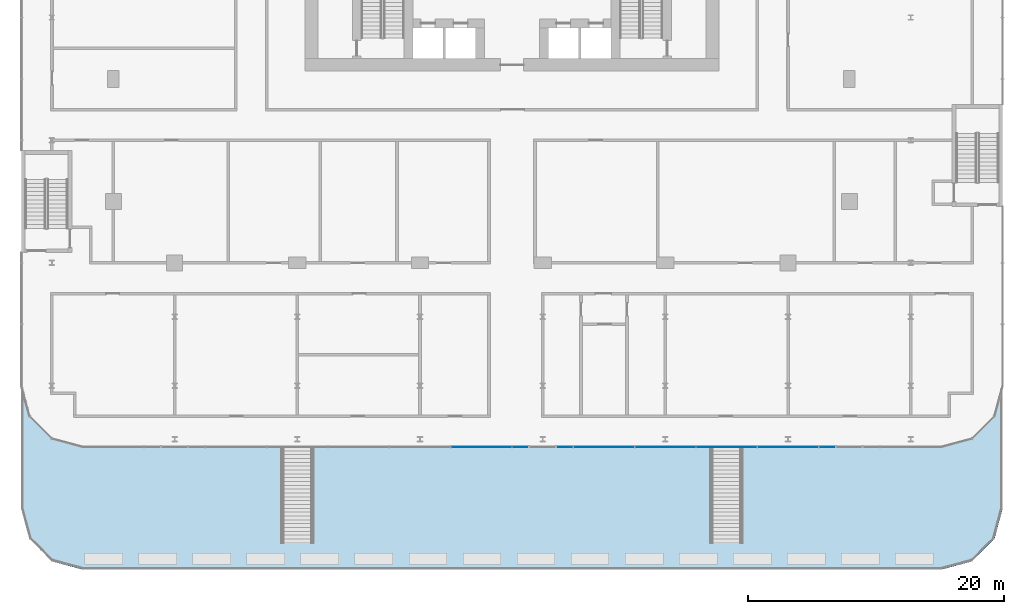
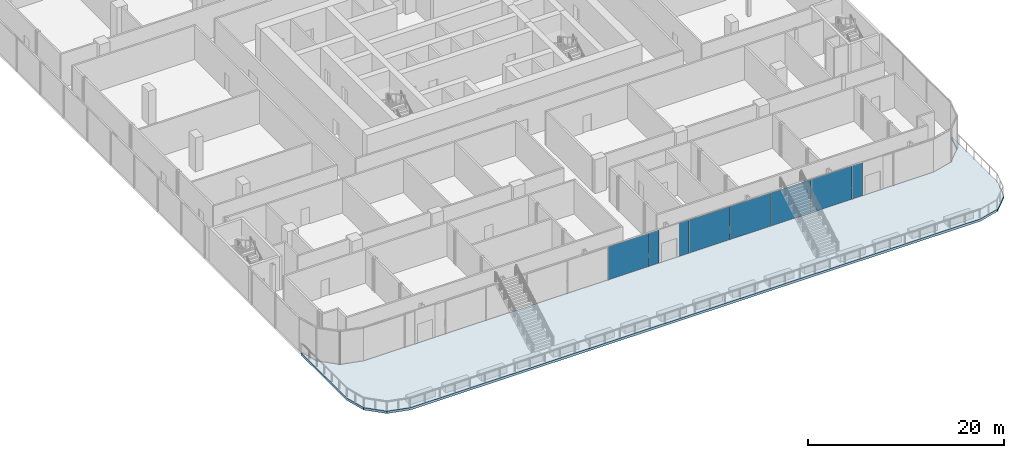
# One storey, part 22 of 38: 8 plates, 1 slab, 1 element without a shape of its own.
"""IFC4 building model written with IfcOpenShell, lengths in metres."""

from ifc_helpers import new_model, si_unit, direction, frame, origin, origin_2d, place, context, subcontext, project, spatial, polyline, rectangle, outline, extrude, material, layer, layer_set, type_object, element, aggregate, save


model = new_model("IFC4")

# Units and contexts
model_context = context("Model", 3, precision=1e-05, world=origin(), true_north=direction((0.0, 1.0)))
body_context = subcontext(model_context, "Body", "Model", "MODEL_VIEW")
ifc_project = project(units=[si_unit("LENGTHUNIT", "METRE"), si_unit("AREAUNIT", "SQUARE_METRE"), si_unit("VOLUMEUNIT", "CUBIC_METRE"), si_unit("PLANEANGLEUNIT", "RADIAN"), si_unit("MASSUNIT", "GRAM", prefix="KILO")], contexts=[model_context])

# Site, building, storey
site_placement = place(None, origin())
site = spatial("IfcSite", under=ifc_project, at=site_placement, CompositionType="ELEMENT")
building_placement = place(site_placement, origin())
building = spatial("IfcBuilding", under=site, at=building_placement, Name="Madar Terraces", CompositionType="ELEMENT")
storey_placement = place(building_placement, frame((0.0, 0.0, 15.0)))
storey = spatial("IfcBuildingStorey", under=building, at=storey_placement, Name="L03", CompositionType="ELEMENT", Elevation=15.0)

# Curtain wall, plates
ifc_material_1 = material(Name="Glass, clear low-iron, with black aluminium frame", Category="aluminium")
ifc_layer_1 = layer(ifc_material_1, 0.199951171875)
ifc_layer_set_1 = layer_set([ifc_layer_1], Name="Facade curtain wall, shopfront glazing")
curtain_wall_type = type_object("IfcCurtainWallType", Name="Facade curtain wall, shopfront glazing", PredefinedType="NOTDEFINED", material=ifc_layer_set_1)
curtain_wall_placement = place(storey_placement, origin())
curtain_wall = element("IfcCurtainWall", 1, at=curtain_wall_placement, inside=storey, type_object=curtain_wall_type, Name="Outer skin curtain wall south bay 1", PredefinedType="NOTDEFINED")
ifc_material_2 = material(Name="Glass, ceramic frit dark grey", Category="glass")
ifc_layer_2 = layer(ifc_material_2, 0.028076171875)
ifc_layer_set_2 = layer_set([ifc_layer_2], Name="Facade glass panel 28")
plate_type = type_object("IfcPlateType", Name="Facade glass panel 28", PredefinedType="CURTAIN_PANEL", material=ifc_layer_set_2)
plate_1_placement = place(storey_placement, frame((28.800048828125, -14.39990234375, 0.0), z_axis=(0.0, 0.0, 1.0), x_axis=(1.0, 0.0, 0.0)))
plate_1 = element("IfcPlate", 2, at=plate_1_placement, type_object=plate_type, Name="Panel 8", PredefinedType="CURTAIN_PANEL", context=body_context, shape_type="SweptSolid", body=[
    extrude(rectangle(XDim=4.739990234375, YDim=0.028076171875, at=origin_2d()), origin(), (0.0, 0.0, 1.0), 4.139892578125),
])
plate_2_placement = place(storey_placement, frame((31.81494140625, -14.39990234375, 0.0), z_axis=(0.0, 0.0, 1.0), x_axis=(1.0, 0.0, 0.0)))
plate_2 = element("IfcPlate", 3, at=plate_2_placement, type_object=plate_type, Name="Panel 9", PredefinedType="CURTAIN_PANEL", context=body_context, shape_type="SweptSolid", body=[
    extrude(rectangle(XDim=1.169921875, YDim=0.028076171875, at=origin_2d()), origin(), (0.0, 0.0, 1.0), 4.139892578125),
])
plate_3_placement = place(storey_placement, frame((35.385009765625, -14.39990234375, 0.0), z_axis=(0.0, 0.0, 1.0), x_axis=(1.0, 0.0, 0.0)))
plate_3 = element("IfcPlate", 4, at=plate_3_placement, type_object=plate_type, Name="Panel 10", PredefinedType="CURTAIN_PANEL", context=body_context, shape_type="SweptSolid", body=[
    extrude(rectangle(XDim=1.169921875, YDim=0.028076171875, at=origin_2d()), origin(), (0.0, 0.0, 1.0), 4.139892578125),
])
plate_4_placement = place(storey_placement, frame((38.39990234375, -14.39990234375, 0.0), z_axis=(0.0, 0.0, 1.0), x_axis=(1.0, 0.0, 0.0)))
plate_4 = element("IfcPlate", 5, at=plate_4_placement, type_object=plate_type, Name="Panel 11", PredefinedType="CURTAIN_PANEL", context=body_context, shape_type="SweptSolid", body=[
    extrude(rectangle(XDim=4.739990234375, YDim=0.028076171875, at=origin_2d()), origin(), (0.0, 0.0, 1.0), 4.139892578125),
])
plate_5_placement = place(storey_placement, frame((43.199951171875, -14.39990234375, 0.0), z_axis=(0.0, 0.0, 1.0), x_axis=(1.0, 0.0, 0.0)))
plate_5 = element("IfcPlate", 6, at=plate_5_placement, type_object=plate_type, Name="Panel 12", PredefinedType="CURTAIN_PANEL", context=body_context, shape_type="SweptSolid", body=[
    extrude(rectangle(XDim=4.739990234375, YDim=0.028076171875, at=origin_2d()), origin(), (0.0, 0.0, 1.0), 4.139892578125),
])
plate_6_placement = place(storey_placement, frame((48.0, -14.39990234375, 0.0), z_axis=(0.0, 0.0, 1.0), x_axis=(1.0, 0.0, 0.0)))
plate_6 = element("IfcPlate", 7, at=plate_6_placement, type_object=plate_type, Name="Panel 13", PredefinedType="CURTAIN_PANEL", context=body_context, shape_type="SweptSolid", body=[
    extrude(rectangle(XDim=4.739990234375, YDim=0.028076171875, at=origin_2d()), origin(), (0.0, 0.0, 1.0), 4.139892578125),
])
plate_7_placement = place(storey_placement, frame((52.800048828125, -14.39990234375, 0.0), z_axis=(0.0, 0.0, 1.0), x_axis=(1.0, 0.0, 0.0)))
plate_7 = element("IfcPlate", 8, at=plate_7_placement, type_object=plate_type, Name="Panel 14", PredefinedType="CURTAIN_PANEL", context=body_context, shape_type="SweptSolid", body=[
    extrude(rectangle(XDim=4.739990234375, YDim=0.028076171875, at=origin_2d()), origin(), (0.0, 0.0, 1.0), 4.139892578125),
])
plate_8_placement = place(storey_placement, frame((55.81494140625, -14.39990234375, 0.0), z_axis=(0.0, 0.0, 1.0), x_axis=(1.0, 0.0, 0.0)))
plate_8 = element("IfcPlate", 9, at=plate_8_placement, type_object=plate_type, Name="Panel 15", PredefinedType="CURTAIN_PANEL", context=body_context, shape_type="SweptSolid", body=[
    extrude(rectangle(XDim=1.169921875, YDim=0.028076171875, at=origin_2d()), origin(), (0.0, 0.0, 1.0), 4.139892578125),
])
aggregate(curtain_wall, [plate_1, plate_2, plate_3, plate_4, plate_5, plate_6, plate_7, plate_8])

# Slab
ifc_material_3 = material(Name="Concrete C50/60", Category="concrete")
ifc_layer_3 = layer(ifc_material_3, 0.300048828125)
ifc_layer_set_3 = layer_set([ifc_layer_3], Name="TS2 PT terrace slab 300")
slab_type = type_object("IfcSlabType", Name="TS2 PT terrace slab 300", PredefinedType="FLOOR", material=ifc_layer_set_3)
slab_placement = place(storey_placement, frame((0.0, 0.0, -0.300048828125)))
element("IfcSlab", 10, at=slab_placement, inside=storey, type_object=slab_type, Name="Terrace roof slab L03 (1)", PredefinedType="FLOOR", context=body_context, shape_type="SweptSolid", body=[
    extrude(outline(polyline([(-6.557373046875, -11.998779296875), (-7.101806640625, -9.966796875), (-7.103271484375, -9.962158203125), (-7.105224609375, -9.95751953125), (-7.107666015625, -9.953125), (-7.1103515625, -9.94921875), (-7.11376953125, -9.9453125), (-7.1171875, -9.94189453125), (-7.12109375, -9.93896484375), (-7.12548828125, -9.936279296875), (-7.1298828125, -9.93408203125), (-7.134521484375, -9.932373046875), (-7.13916015625, -9.930908203125), (-7.14404296875, -9.93017578125), (-7.149169921875, -9.9296875), (-7.154052734375, -9.929931640625), (-7.158935546875, -9.9306640625), (-7.163818359375, -9.931640625), (-7.16845703125, -9.933349609375), (-7.173095703125, -9.935302734375), (-7.17724609375, -9.93798828125), (-7.181396484375, -9.94091796875), (-7.18505859375, -9.944091796875), (-7.1884765625, -9.94775390625), (-7.19140625, -9.95166015625), (-7.19384765625, -9.9560546875), (-7.196044921875, -9.96044921875), (-7.19775390625, -9.965087890625), (-7.198974609375, -9.969970703125), (-7.19970703125, -9.974853515625), (-7.199951171875, -9.979736328125), (-7.199951171875, -19.193359375), (-7.19970703125, -19.19775390625), (-7.19921875, -19.2021484375), (-7.1982421875, -19.206298828125), (-6.560302734375, -21.587158203125), (-6.558837890625, -21.592041015625), (-6.556640625, -21.596923828125), (-6.553955078125, -21.601318359375), (-6.551025390625, -21.60546875), (-6.54736328125, -21.609375), (-4.8095703125, -23.347412109375), (-4.8056640625, -23.350830078125), (-4.80126953125, -23.35400390625), (-4.796875, -23.356689453125), (-4.7919921875, -23.35888671875), (-4.787109375, -23.3603515625), (-2.40625, -23.998291015625), (-2.402099609375, -23.999267578125), (-2.397705078125, -23.999755859375), (-2.393310546875, -24.0), (64.79345703125, -24.0), (64.7978515625, -23.999755859375), (64.802001953125, -23.999267578125), (64.806396484375, -23.998291015625), (67.18701171875, -23.3603515625), (67.192138671875, -23.35888671875), (67.19677734375, -23.356689453125), (67.201416015625, -23.35400390625), (67.20556640625, -23.350830078125), (67.20947265625, -23.347412109375), (68.947509765625, -21.609375), (68.950927734375, -21.60546875), (68.9541015625, -21.601318359375), (68.95654296875, -21.596923828125), (68.958740234375, -21.592041015625), (68.96044921875, -21.587158203125), (69.598388671875, -19.206298828125), (69.59912109375, -19.2021484375), (69.599853515625, -19.19775390625), (69.60009765625, -19.193359375), (69.60009765625, -9.979736328125), (69.599853515625, -9.974853515625), (69.59912109375, -9.969970703125), (69.597900390625, -9.965087890625), (69.59619140625, -9.96044921875), (69.593994140625, -9.9560546875), (69.59130859375, -9.95166015625), (69.58837890625, -9.94775390625), (69.5849609375, -9.944091796875), (69.581298828125, -9.94091796875), (69.577392578125, -9.93798828125), (69.572998046875, -9.935302734375), (69.568603515625, -9.933349609375), (69.563720703125, -9.931640625), (69.55908203125, -9.9306640625), (69.553955078125, -9.929931640625), (69.549072265625, -9.9296875), (69.544189453125, -9.93017578125), (69.539306640625, -9.930908203125), (69.534423828125, -9.932373046875), (69.52978515625, -9.93408203125), (69.525390625, -9.936279296875), (69.521240234375, -9.93896484375), (69.517333984375, -9.94189453125), (69.513671875, -9.9453125), (69.510498046875, -9.94921875), (69.507568359375, -9.953125), (69.505126953125, -9.95751953125), (69.503173828125, -9.962158203125), (69.501708984375, -9.966796875), (68.957275390625, -11.998779296875), (68.956787109375, -12.0), (68.9560546875, -12.0009765625), (67.200927734375, -13.756103515625), (67.199951171875, -13.7568359375), (67.19873046875, -13.75732421875), (64.801025390625, -14.399658203125), (64.800048828125, -14.39990234375), (64.798828125, -14.39990234375), (-2.39892578125, -14.39990234375), (-2.39990234375, -14.39990234375), (-2.401123046875, -14.399658203125), (-4.798828125, -13.75732421875), (-4.800048828125, -13.7568359375), (-4.801025390625, -13.756103515625), (-6.555908203125, -12.0009765625), (-6.556884765625, -12.0), (-6.557373046875, -11.998779296875)])), origin(), (0.0, 0.0, 1.0), 0.300048828125),
])

save(model, "model.ifc")
